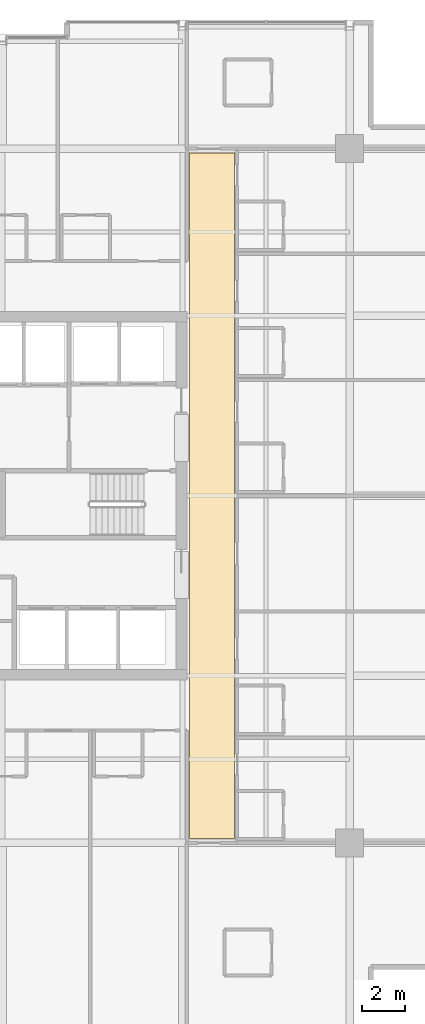
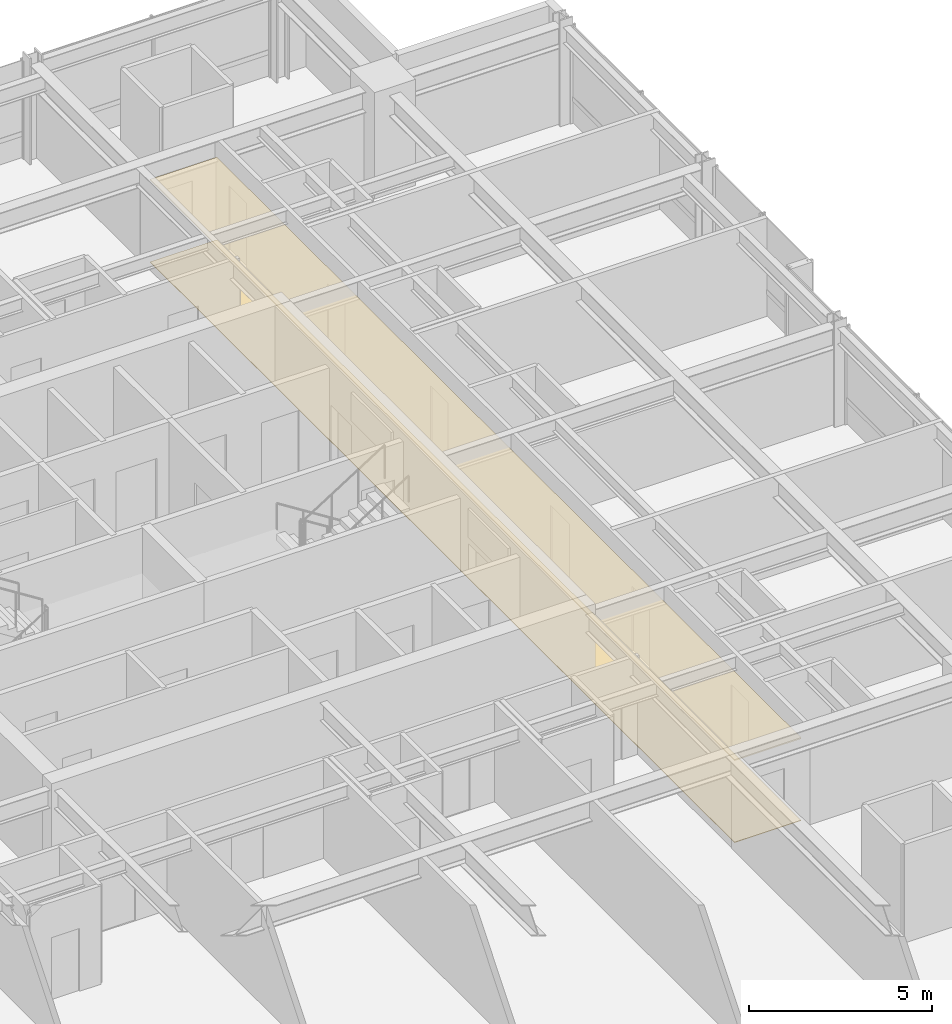
# One storey, part 32 of 32: 2 coverings.
"""IFC4 building model written with IfcOpenShell, lengths in metres."""

from ifc_helpers import new_model, si_unit, direction, frame, origin, place, context, subcontext, project, spatial, polyline, outline, extrude, material, layer, layer_set, type_object, element, save


model = new_model("IFC4")

# Units and contexts
model_context = context("Model", 3, precision=1e-05, world=origin(), true_north=direction((0.0, 1.0)))
body_context = subcontext(model_context, "Body", "Model", "MODEL_VIEW")
ifc_project = project(units=[si_unit("LENGTHUNIT", "METRE"), si_unit("AREAUNIT", "SQUARE_METRE"), si_unit("VOLUMEUNIT", "CUBIC_METRE"), si_unit("PLANEANGLEUNIT", "RADIAN"), si_unit("MASSUNIT", "GRAM", prefix="KILO")], contexts=[model_context])

# Site, building, storey
site_placement = place(None, origin())
site = spatial("IfcSite", under=ifc_project, at=site_placement, CompositionType="ELEMENT")
building_placement = place(site_placement, origin())
building = spatial("IfcBuilding", under=site, at=building_placement, Name="Drelvath Grand Hotel", CompositionType="ELEMENT")
storey_placement = place(building_placement, frame((0.0, 0.0, 150.39990234375)))
storey = spatial("IfcBuildingStorey", under=building, at=storey_placement, Name="L38", CompositionType="ELEMENT", Elevation=150.39990234375)

# Coverings
ifc_material_1 = material(Name="Woven Wool Broadloom Carpet")
ifc_layer_1 = layer(ifc_material_1, 0.01806640625)
ifc_layer_set_1 = layer_set([ifc_layer_1], Name="Woven Wool Broadloom Carpet")
covering_type_1 = type_object("IfcCoveringType", Name="Hospitality Broadloom Carpet 18", PredefinedType="FLOORING", material=ifc_layer_set_1)
covering_1_placement = place(storey_placement, origin())
element("IfcCovering", 1, at=covering_1_placement, inside=storey, type_object=covering_type_1, Name="L38 East Spine Carpet", PredefinedType="FLOORING", context=body_context, shape_type="SweptSolid", body=[
    extrude(outline(polyline([(10.830078125, 11.0), (10.830078125, 43.0), (8.719970703125, 43.0), (8.719970703125, 11.0), (10.830078125, 11.0)])), origin(), (0.0, 0.0, 1.0), 0.01806640625),
])
ifc_material_2 = material(Name="Anodised Aluminium Alloy", Category="aluminium")
ifc_layer_2 = layer(ifc_material_2, 0.0400390625)
ifc_layer_set_2 = layer_set([ifc_layer_2], Name="Anodised Aluminium Alloy")
covering_type_2 = type_object("IfcCoveringType", Name="Perforated Metal Corridor Ceiling 40", PredefinedType="CEILING", material=ifc_layer_set_2)
covering_2_placement = place(storey_placement, frame((0.0, 0.0, 2.739990234375)))
element("IfcCovering", 2, at=covering_2_placement, inside=storey, type_object=covering_type_2, Name="L38 East Spine Ceiling", PredefinedType="CEILING", context=body_context, shape_type="SweptSolid", body=[
    extrude(outline(polyline([(10.830078125, 11.0), (10.830078125, 43.0), (8.719970703125, 43.0), (8.719970703125, 11.0), (10.830078125, 11.0)])), origin(), (0.0, 0.0, 1.0), 0.0400390625),
])

save(model, "model.ifc")
